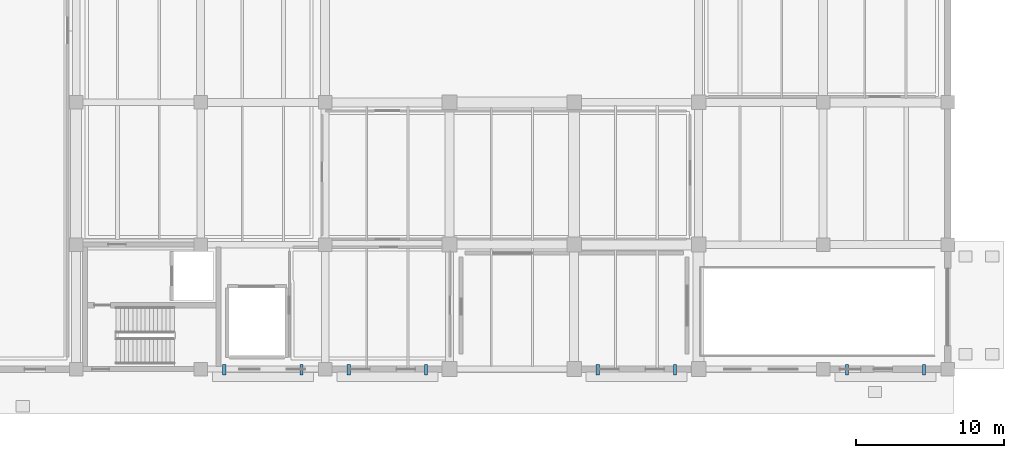
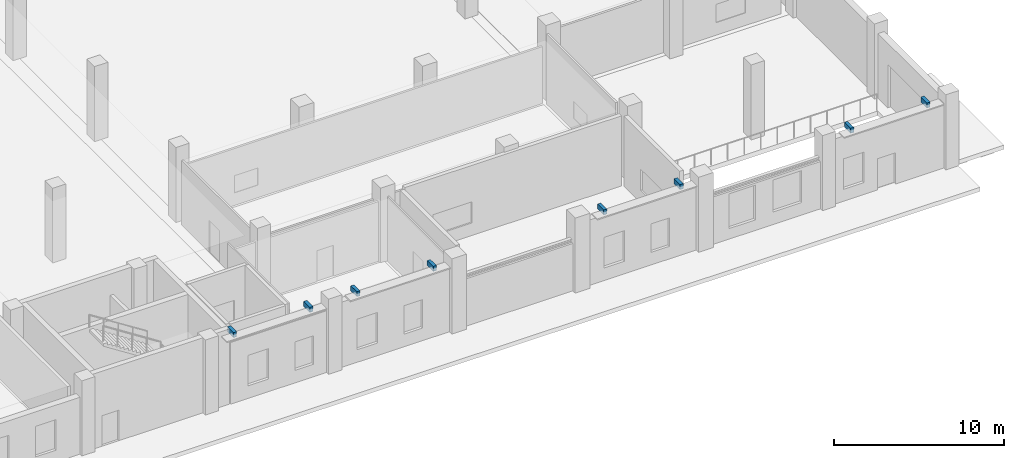
# One storey, part 51 of 65: 8 discrete accessories.
"""IFC4 building model written with IfcOpenShell, lengths in metres."""

from ifc_helpers import new_model, si_unit, direction, frame, origin, origin_2d, place, context, subcontext, project, spatial, rectangle, extrude, material, type_object, element, save


model = new_model("IFC4")

# Units and contexts
model_context = context("Model", 3, precision=1e-05, world=origin(), true_north=direction((0.0, 1.0)))
body_context = subcontext(model_context, "Body", "Model", "MODEL_VIEW")
ifc_project = project(units=[si_unit("LENGTHUNIT", "METRE"), si_unit("AREAUNIT", "SQUARE_METRE"), si_unit("VOLUMEUNIT", "CUBIC_METRE"), si_unit("PLANEANGLEUNIT", "RADIAN"), si_unit("MASSUNIT", "GRAM", prefix="KILO")], contexts=[model_context])

# Site, building, storey
site_placement = place(None, origin())
site = spatial("IfcSite", under=ifc_project, at=site_placement, CompositionType="ELEMENT")
building_placement = place(site_placement, origin())
building = spatial("IfcBuilding", under=site, at=building_placement, Name="Zulmaris Art Gallery", CompositionType="ELEMENT")
storey_placement = place(building_placement, origin())
storey = spatial("IfcBuildingStorey", under=building, at=storey_placement, Name="L00", CompositionType="ELEMENT", Elevation=0.0)

# Discrete accessories
ifc_material = material(Name="Steel S355J2", Category="steel")
discrete_accessory_type = type_object("IfcDiscreteAccessoryType", Name="ACC-BRK01", PredefinedType="BRACKET", material=ifc_material)
for number, where, z_axis, x_axis, name in (
    (1, (151.60009765625, 13.14990234375, 4.8701171875), (0.0, 0.0, 1.0), (1.0, 0.0, 0.0), "L00 Solar louvre bracket"),
    (2, (156.800048828125, 13.14990234375, 4.8701171875), (0.0, 0.0, 1.0), (1.0, 0.0, 0.0), "L00 Solar louvre bracket"),
    (3, (160.0, 13.14990234375, 4.8701171875), (0.0, 0.0, 1.0), (1.0, 0.0, 0.0), "L00 Solar louvre bracket"),
    (4, (165.199951171875, 13.14990234375, 4.8701171875), (0.0, 0.0, 1.0), (1.0, 0.0, 0.0), "L00 Solar louvre bracket"),
    (5, (176.800048828125, 13.14990234375, 4.8701171875), (0.0, 0.0, 1.0), (1.0, 0.0, 0.0), "L00 Solar louvre bracket"),
    (6, (182.0, 13.14990234375, 4.8701171875), (0.0, 0.0, 1.0), (1.0, 0.0, 0.0), "L00 Solar louvre bracket"),
    (7, (193.60009765625, 13.14990234375, 4.8701171875), (0.0, 0.0, 1.0), (1.0, 0.0, 0.0), "L00 Solar louvre bracket"),
    (8, (198.800048828125, 13.14990234375, 4.8701171875), (0.0, 0.0, 1.0), (1.0, 0.0, 0.0), "L00 Solar louvre bracket"),
):
    element("IfcDiscreteAccessory", number, at=place(storey_placement, frame(where, z_axis=z_axis, x_axis=x_axis)), inside=storey, type_object=discrete_accessory_type, Name=name, PredefinedType="BRACKET", context=body_context, shape_type="SweptSolid", body=[
        extrude(rectangle(XDim=0.219970703125, YDim=0.719970703125, at=origin_2d()), origin(), (0.0, 0.0, 1.0), 0.360107421875),
    ])

save(model, "model.ifc")
